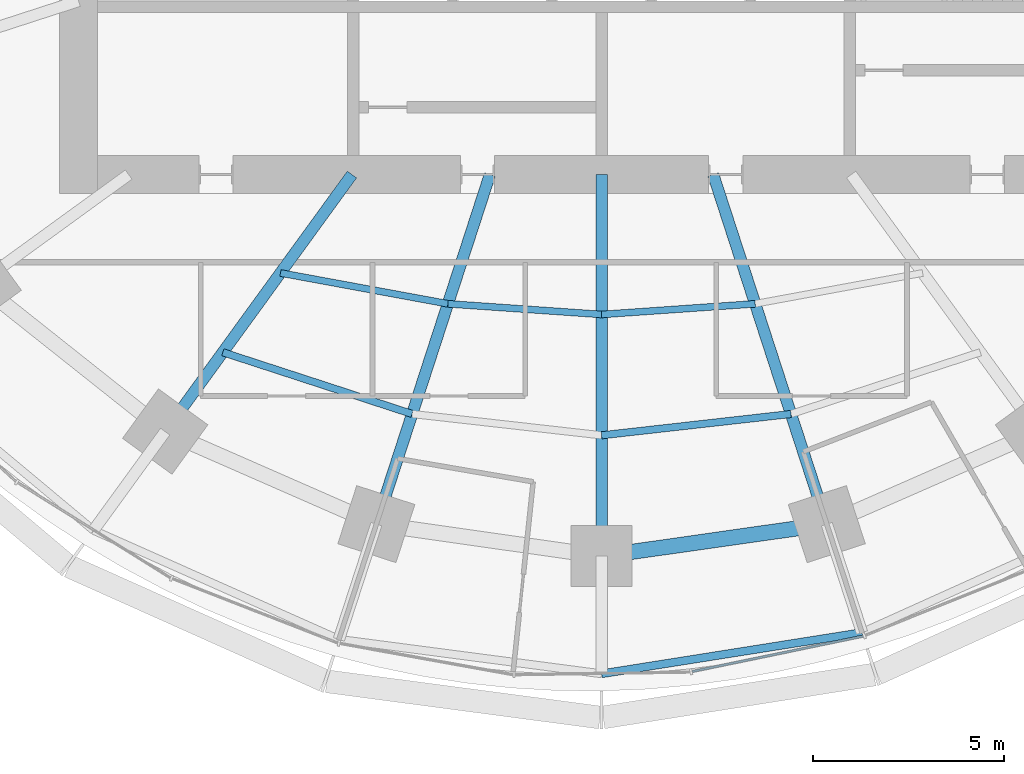
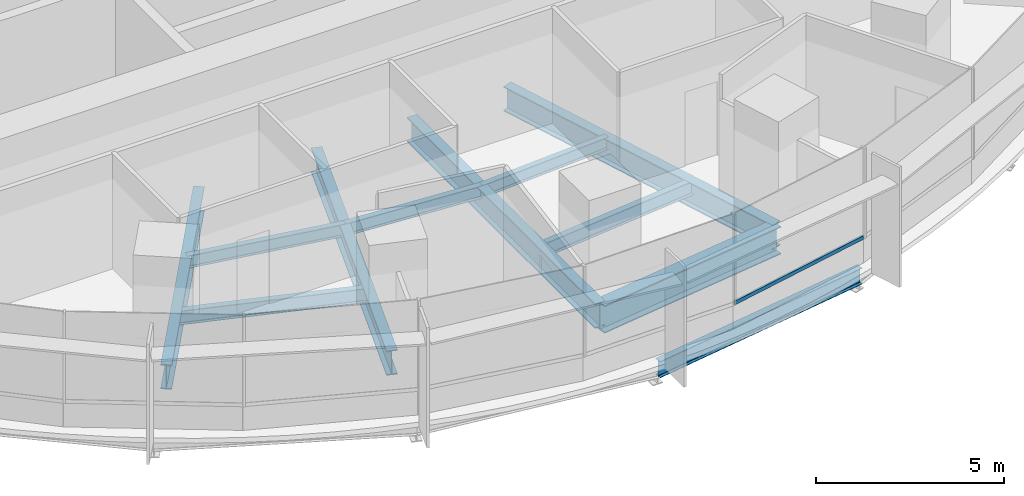
# One storey, part 3 of 14: 11 beams, 1 member, 1 element without a shape of its own.
"""IFC4 building model written with IfcOpenShell, lengths in metres."""

from ifc_helpers import new_model, si_unit, direction, frame, origin, origin_2d, place, context, subcontext, project, spatial, rectangle, i_section, extrude, material, material_profile, profile_set, type_object, element, aggregate, save


model = new_model("IFC4")

# Units and contexts
model_context = context("Model", 3, precision=1e-05, world=origin(), true_north=direction((0.0, 1.0)))
body_context = subcontext(model_context, "Body", "Model", "MODEL_VIEW")
ifc_project = project(units=[si_unit("LENGTHUNIT", "METRE"), si_unit("AREAUNIT", "SQUARE_METRE"), si_unit("VOLUMEUNIT", "CUBIC_METRE"), si_unit("PLANEANGLEUNIT", "RADIAN"), si_unit("MASSUNIT", "GRAM", prefix="KILO")], contexts=[model_context])

# Site, building, storey
site_placement = place(None, origin())
site = spatial("IfcSite", under=ifc_project, at=site_placement, CompositionType="ELEMENT")
building_placement = place(site_placement, origin())
building = spatial("IfcBuilding", under=site, at=building_placement, Name="Marramba Exchange Tower", CompositionType="ELEMENT")
storey_placement = place(building_placement, frame((0.0, 0.0, 111.89990234375)))
storey = spatial("IfcBuildingStorey", under=building, at=storey_placement, Name="L26", CompositionType="ELEMENT", Elevation=111.89990234375)

# Beams
ifc_material_1 = material(Name="Steel AS/NZS 3679.1 grade 300", Category="steel")
ifc_material_profile_1 = material_profile(ifc_material_1, i_section(OverallWidth=0.177978515625, OverallDepth=0.406005859375, WebThickness=0.0078125, FlangeThickness=0.0126953125, FilletRadius=0.011474609375, at=origin_2d()), Name="410UB59.7")
ifc_profile_set_1 = profile_set([ifc_material_profile_1], Name="Steel AS/NZS 3679.1 grade 300")
beam_type_1 = type_object("IfcBeamType", Name="Floor joist 410UB59.7", PredefinedType="JOIST", material=ifc_profile_set_1)
beam_1_placement = place(storey_placement, frame((-8.41162109375, -11.57763671875, -0.36279296875), z_axis=(0.983455754421, -0.181148500119, 0.0), x_axis=(0.181148500119, 0.983455754421, 0.0)))
element("IfcBeam", 1, at=beam_1_placement, inside=storey, type_object=beam_type_1, Name="Joist L26 bay 14 row 1", PredefinedType="JOIST", context=body_context, shape_type="SweptSolid", body=[
    extrude(i_section(OverallWidth=0.177978515625, OverallDepth=0.406005859375, WebThickness=0.0078125, FlangeThickness=0.0126953125, FilletRadius=0.011474609375, at=origin_2d()), origin(), (0.0, 0.0, 1.0), 4.4609375),
])
for number, where, z_axis, x_axis, name in (
    (2, (-4.0244140625, -12.3857421875, -0.36279296875), (0.99759625901, -0.069294328838, 0.0), (0.069294328838, 0.99759625901, 0.0), "Joist L26 bay 15 row 1"),
    (3, (0.0, -12.665283203125, -0.36279296875), (0.99759625901, 0.069294328838, 0.0), (-0.069294328838, 0.99759625901, 0.0), "Joist L26 bay 16 row 1"),
):
    element("IfcBeam", number, at=place(storey_placement, frame(where, z_axis=z_axis, x_axis=x_axis)), inside=storey, type_object=beam_type_1, Name=name, PredefinedType="JOIST", context=body_context, shape_type="SweptSolid", body=[
        extrude(i_section(OverallWidth=0.177978515625, OverallDepth=0.406005859375, WebThickness=0.0078125, FlangeThickness=0.0126953125, FilletRadius=0.011474609375, at=origin_2d()), origin(), (0.0, 0.0, 1.0), 4.0341796875),
    ])
ifc_material_profile_2 = material_profile(ifc_material_1, i_section(OverallWidth=0.18994140625, OverallDepth=0.4541015625, WebThickness=0.008544921875, FlangeThickness=0.0126953125, FilletRadius=0.011474609375, at=origin_2d()), Name="460UB67.1")
ifc_profile_set_2 = profile_set([ifc_material_profile_2], Name="Steel AS/NZS 3679.1 grade 300")
beam_type_2 = type_object("IfcBeamType", Name="Floor joist 460UB67.1", PredefinedType="JOIST", material=ifc_profile_set_2)
beam_2_placement = place(storey_placement, frame((-9.9208984375, -13.655029296875, -0.386962890625), z_axis=(0.950764024931, -0.309915744834, 0.0), x_axis=(0.309915744834, 0.950764024931, 0.0)))
element("IfcBeam", 4, at=beam_2_placement, inside=storey, type_object=beam_type_2, Name="Joist L26 bay 14 row 2", PredefinedType="JOIST", context=body_context, shape_type="SweptSolid", body=[
    extrude(i_section(OverallWidth=0.18994140625, OverallDepth=0.4541015625, WebThickness=0.008544921875, FlangeThickness=0.0126953125, FilletRadius=0.011474609375, at=origin_2d()), origin(), (0.0, 0.0, 1.0), 5.2158203125),
])
beam_3_placement = place(storey_placement, frame((0.0, -15.83056640625, -0.386962890625), z_axis=(0.993712018573, 0.111966174106, 0.0), x_axis=(-0.111966174106, 0.993712018573, 0.0)))
element("IfcBeam", 5, at=beam_3_placement, inside=storey, type_object=beam_type_2, Name="Joist L26 bay 16 row 2", PredefinedType="JOIST", context=body_context, shape_type="SweptSolid", body=[
    extrude(i_section(OverallWidth=0.18994140625, OverallDepth=0.4541015625, WebThickness=0.008544921875, FlangeThickness=0.0126953125, FilletRadius=0.011474609375, at=origin_2d()), origin(), (0.0, 0.0, 1.0), 4.993408203125),
])

# Curtain wall, member
ifc_material_2 = material(Name="Aluminium framing, bronze anodised", Category="aluminium")
curtain_wall_type = type_object("IfcCurtainWallType", Name="Office ribbon curtain wall", PredefinedType="USERDEFINED", material=ifc_material_2)
curtain_wall_placement = place(storey_placement, origin())
curtain_wall = element("IfcCurtainWall", 6, at=curtain_wall_placement, inside=storey, type_object=curtain_wall_type, Name="Curtain wall CW4 L26 F21-F25", ObjectType="RIBBON CURTAIN WALL", PredefinedType="USERDEFINED")
ifc_material_3 = material(Name="Aluminium transom, bronze anodised", Category="aluminium")
ifc_material_profile_3 = material_profile(ifc_material_3, rectangle(XDim=0.06005859375, YDim=0.1201171875, at=origin_2d()), Name="CW4 transom 60x120")
ifc_profile_set_3 = profile_set([ifc_material_profile_3], Name="Aluminium transom, bronze anodised")
member_type = type_object("IfcMemberType", Name="Office ribbon curtain wall transom", PredefinedType="USERDEFINED", material=ifc_profile_set_3)
member_placement = place(storey_placement, frame((2.374267578125, -22.017822265625, 0.830078125), z_axis=(0.979310422034, 0.202363774661, 0.0), x_axis=(-0.202363774661, 0.979310422034, 0.0)))
member = element("IfcMember", 7, at=member_placement, type_object=member_type, Name="CW4 sill transom", ObjectType="TRANSOM", PredefinedType="USERDEFINED", context=body_context, shape_type="SweptSolid", body=[
    extrude(rectangle(XDim=0.06005859375, YDim=0.1201171875, at=origin_2d()), origin(), (0.0, 0.0, 1.0), 4.57373046875),
])
aggregate(curtain_wall, [member])

# Beams
ifc_material_4 = material(Name="Steel AS/NZS 3679.2 grade 300", Category="steel")
ifc_material_profile_4 = material_profile(ifc_material_4, i_section(OverallWidth=0.300048828125, OverallDepth=0.800048828125, WebThickness=0.013916015625, FlangeThickness=0.031982421875, at=origin_2d()), Name="800WB192")
ifc_profile_set_4 = profile_set([ifc_material_profile_4], Name="Steel AS/NZS 3679.2 grade 300")
beam_type_3 = type_object("IfcBeamType", Name="Radial girder 800WB192", PredefinedType="BEAM", material=ifc_profile_set_4)
beam_4_placement = place(storey_placement, frame((-6.538818359375, -9.0, -0.559814453125), z_axis=(-0.587787877172, -0.809015087282, 0.0), x_axis=(0.809015087282, -0.587787877172, 0.0)))
element("IfcBeam", 8, at=beam_4_placement, inside=storey, type_object=beam_type_3, Name="Radial girder L26 TC14", PredefinedType="BEAM", context=body_context, shape_type="SweptSolid", body=[
    extrude(i_section(OverallWidth=0.300048828125, OverallDepth=0.800048828125, WebThickness=0.013916015625, FlangeThickness=0.031982421875, at=origin_2d()), origin(), (0.0, 0.0, 1.0), 8.322021484375),
])
beam_5_placement = place(storey_placement, frame((-2.92431640625, -9.0, -0.559814453125), z_axis=(-0.309022428985, -0.951054750466, 0.0), x_axis=(0.951054750466, -0.309022428985, 0.0)))
element("IfcBeam", 9, at=beam_5_placement, inside=storey, type_object=beam_type_3, Name="Radial girder L26 TC15", PredefinedType="BEAM", context=body_context, shape_type="SweptSolid", body=[
    extrude(i_section(OverallWidth=0.300048828125, OverallDepth=0.800048828125, WebThickness=0.013916015625, FlangeThickness=0.031982421875, at=origin_2d()), origin(), (0.0, 0.0, 1.0), 9.628173828125),
])
beam_6_placement = place(storey_placement, frame((0.0, -9.0, -0.559814453125), z_axis=(0.0, -1.0, 0.0), x_axis=(1.0, 0.0, 0.0)))
element("IfcBeam", 10, at=beam_6_placement, inside=storey, type_object=beam_type_3, Name="Radial girder L26 TC16", PredefinedType="BEAM", context=body_context, shape_type="SweptSolid", body=[
    extrude(i_section(OverallWidth=0.300048828125, OverallDepth=0.800048828125, WebThickness=0.013916015625, FlangeThickness=0.031982421875, at=origin_2d()), origin(), (0.0, 0.0, 1.0), 9.99609375),
])
beam_7_placement = place(storey_placement, frame((2.92431640625, -9.0, -0.559814453125), z_axis=(0.309022428985, -0.951054750466, 0.0), x_axis=(0.951054750466, 0.309022428985, 0.0)))
element("IfcBeam", 11, at=beam_7_placement, inside=storey, type_object=beam_type_3, Name="Radial girder L26 TC17", PredefinedType="BEAM", context=body_context, shape_type="SweptSolid", body=[
    extrude(i_section(OverallWidth=0.300048828125, OverallDepth=0.800048828125, WebThickness=0.013916015625, FlangeThickness=0.031982421875, at=origin_2d()), origin(), (0.0, 0.0, 1.0), 9.628173828125),
])
ifc_material_profile_5 = material_profile(ifc_material_4, i_section(OverallWidth=0.39990234375, OverallDepth=0.89990234375, WebThickness=0.01611328125, FlangeThickness=0.031982421875, at=origin_2d()), Name="900WB282")
ifc_profile_set_5 = profile_set([ifc_material_profile_5], Name="Steel AS/NZS 3679.2 grade 300")
beam_type_4 = type_object("IfcBeamType", Name="Ring beam 900WB282", PredefinedType="SPANDREL", material=ifc_profile_set_5)
beam_8_placement = place(storey_placement, frame((0.0, -18.99609375, -0.60986328125), z_axis=(0.990036163016, 0.140813337152, 0.0), x_axis=(-0.140813337152, 0.990036163016, 0.0)))
element("IfcBeam", 12, at=beam_8_placement, inside=storey, type_object=beam_type_4, Name="Ring beam L26 TC16-TC17", PredefinedType="SPANDREL", context=body_context, shape_type="SweptSolid", body=[
    extrude(i_section(OverallWidth=0.39990234375, OverallDepth=0.89990234375, WebThickness=0.01611328125, FlangeThickness=0.031982421875, at=origin_2d()), origin(), (0.0, 0.0, 1.0), 5.958984375),
])
ifc_material_profile_6 = material_profile(ifc_material_1, i_section(OverallWidth=0.208984375, OverallDepth=0.528076171875, WebThickness=0.009521484375, FlangeThickness=0.01318359375, FilletRadius=0.013916015625, at=origin_2d()), Name="530UB82.0")
ifc_profile_set_6 = profile_set([ifc_material_profile_6], Name="Steel AS/NZS 3679.1 grade 300")
beam_type_5 = type_object("IfcBeamType", Name="Slab edge beam 530UB82.0", PredefinedType="SPANDREL", material=ifc_profile_set_6)
beam_9_placement = place(storey_placement, frame((0.0, -22.076904296875, -0.423828125), z_axis=(0.987705008555, 0.15632919137, 0.0), x_axis=(-0.15632919137, 0.987705008555, 0.0)))
element("IfcBeam", 13, at=beam_9_placement, inside=storey, type_object=beam_type_5, Name="Slab edge beam L26 TC16-TC17", PredefinedType="SPANDREL", context=body_context, shape_type="SweptSolid", body=[
    extrude(i_section(OverallWidth=0.208984375, OverallDepth=0.528076171875, WebThickness=0.009521484375, FlangeThickness=0.01318359375, FilletRadius=0.013916015625, at=origin_2d()), origin(), (0.0, 0.0, 1.0), 6.907470703125),
])

save(model, "model.ifc")
